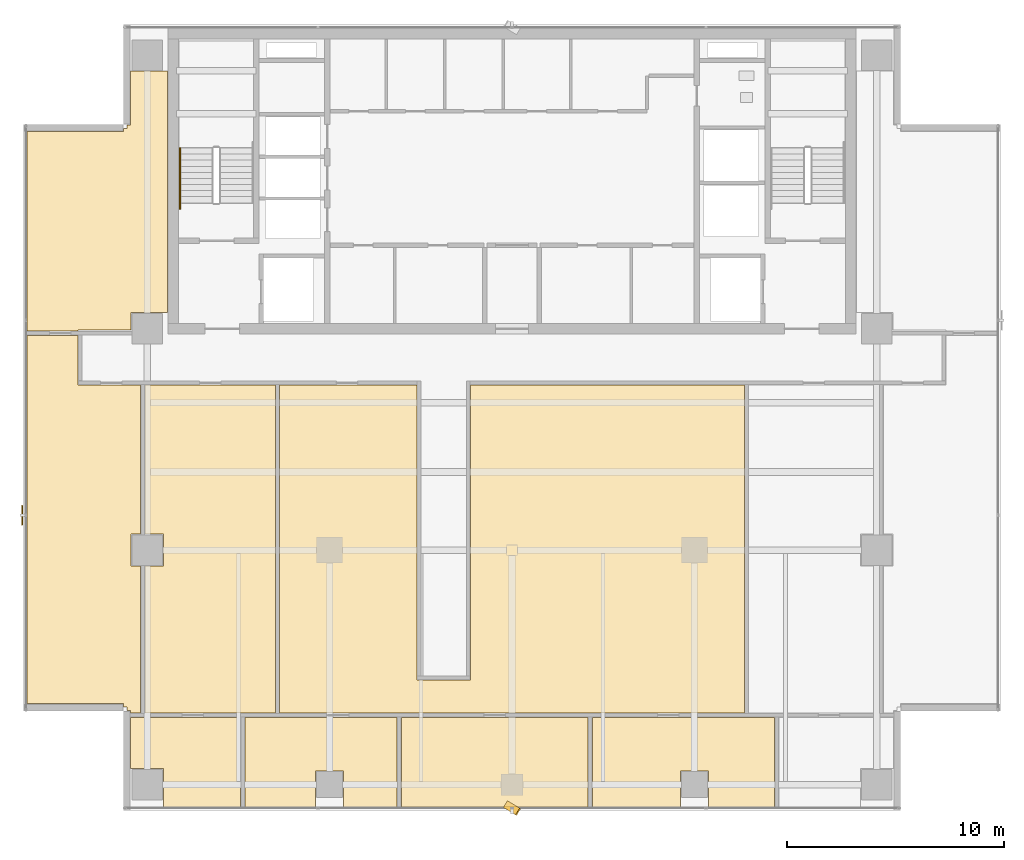
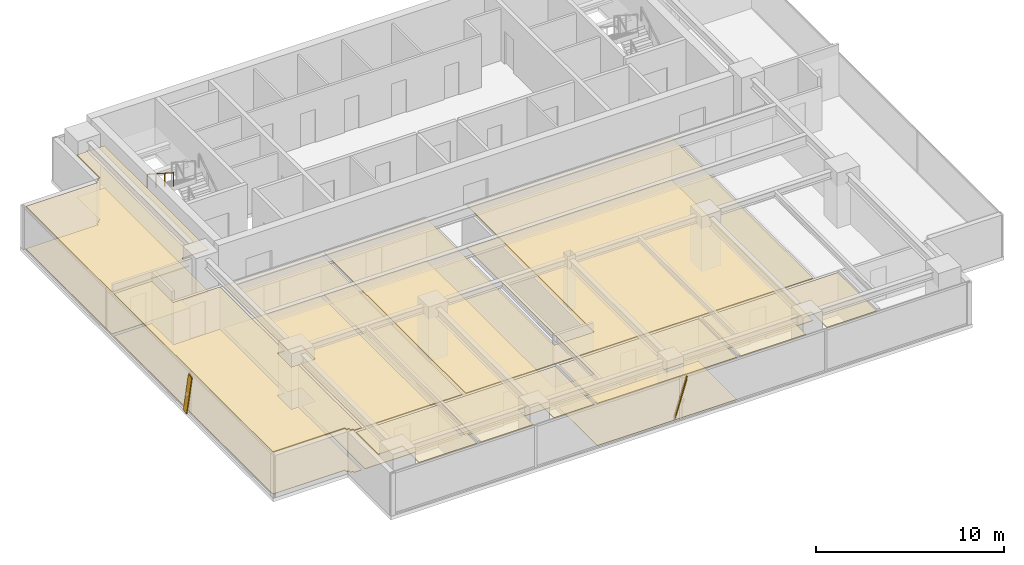
# One storey, part 23 of 26: 13 coverings, 2 shading devices, 1 railing.
"""IFC4 building model written with IfcOpenShell, lengths in metres."""

from ifc_helpers import new_model, si_unit, direction, frame, origin, origin_2d, place, context, subcontext, project, spatial, polyline, rectangle, outline, extrude, source, transform, mapped, material, layer, layer_set, material_profile, profile_set, type_object, element, save


model = new_model("IFC4")

# Units and contexts
model_context = context("Model", 3, precision=1e-05, world=origin(), true_north=direction((0.0, 1.0)))
body_context = subcontext(model_context, "Body", "Model", "MODEL_VIEW")
ifc_project = project(units=[si_unit("LENGTHUNIT", "METRE"), si_unit("AREAUNIT", "SQUARE_METRE"), si_unit("VOLUMEUNIT", "CUBIC_METRE"), si_unit("PLANEANGLEUNIT", "RADIAN"), si_unit("MASSUNIT", "GRAM", prefix="KILO")], contexts=[model_context])

# Site, building, storey
site_placement = place(None, origin())
site = spatial("IfcSite", under=ifc_project, at=site_placement, CompositionType="ELEMENT")
building_placement = place(site_placement, origin())
building = spatial("IfcBuilding", under=site, at=building_placement, Name="Sumidabori Civic Tower", CompositionType="ELEMENT")
storey_placement = place(building_placement, frame((0.0, 0.0, 254.0)))
storey = spatial("IfcBuildingStorey", under=building, at=storey_placement, Name="L66", CompositionType="ELEMENT", Elevation=254.0)

# Coverings
ifc_material_1 = material(Name="Gypsum Coffered Acoustic Ceiling")
ifc_layer_1 = layer(ifc_material_1, 0.06494140625, Name="Gypsum Coffered Acoustic Ceiling")
ifc_layer_set_1 = layer_set([ifc_layer_1], Name="Gypsum Coffered Acoustic Ceiling")
covering_type_1 = type_object("IfcCoveringType", Name="CV-CEIL-AC4", PredefinedType="CEILING", material=ifc_layer_set_1)
covering_1_placement = place(storey_placement, frame((0.0, 0.0, 2.719970703125)))
element("IfcCovering", 1, at=covering_1_placement, inside=storey, type_object=covering_type_1, Name="Room Acoustic Ceiling L66-01", PredefinedType="CEILING", context=body_context, shape_type="SweptSolid", body=[
    extrude(outline(polyline([(-22.330078125, 10.1025390625), (-22.330078125, 19.27197265625), (-17.89208984375, 19.27197265625), (-17.89208984375, 19.429931640625), (-17.72998046875, 19.429931640625), (-17.72998046875, 19.592041015625), (-17.572021484375, 19.592041015625), (-17.572021484375, 22.06005859375), (-15.8779296875, 22.06005859375), (-15.8779296875, 10.93994140625), (-17.5400390625, 10.93994140625), (-17.5400390625, 10.135009765625), (-19.985107421875, 10.135009765625), (-19.985107421875, 10.1025390625), (-22.330078125, 10.1025390625)])), origin(), (0.0, 0.0, 1.0), 0.06494140625),
])
covering_2_placement = place(storey_placement, frame((0.0, 0.0, 2.719970703125)))
element("IfcCovering", 2, at=covering_2_placement, inside=storey, type_object=covering_type_1, Name="Room Acoustic Ceiling L66-03", PredefinedType="CEILING", context=body_context, shape_type="SweptSolid", body=[
    extrude(outline(polyline([(-19.985107421875, 7.614990234375), (-17.1025390625, 7.614990234375), (-17.1025390625, 0.739990234375), (-17.5400390625, 0.739990234375), (-17.5400390625, -0.739990234375), (-17.1025390625, -0.739990234375), (-17.1025390625, -7.49755859375), (-17.572021484375, -7.49755859375), (-17.572021484375, -7.39208984375), (-17.72998046875, -7.39208984375), (-17.72998046875, -7.22998046875), (-17.89208984375, -7.22998046875), (-17.89208984375, -7.072021484375), (-22.330078125, -7.072021484375), (-22.330078125, 9.8974609375), (-19.985107421875, 9.8974609375), (-19.985107421875, 7.614990234375)])), origin(), (0.0, 0.0, 1.0), 0.06494140625),
])
covering_3_placement = place(storey_placement, frame((0.0, 0.0, 2.719970703125)))
element("IfcCovering", 3, at=covering_3_placement, inside=storey, type_object=covering_type_1, Name="Room Acoustic Ceiling L66-05", PredefinedType="CEILING", context=body_context, shape_type="SweptSolid", body=[
    extrude(outline(polyline([(-16.8974609375, -0.739990234375), (-16.06005859375, -0.739990234375), (-16.06005859375, 0.739990234375), (-16.8974609375, 0.739990234375), (-16.8974609375, 7.614990234375), (-10.902587890625, 7.614990234375), (-10.902587890625, -7.49755859375), (-16.8974609375, -7.49755859375), (-16.8974609375, -0.739990234375)])), origin(), (0.0, 0.0, 1.0), 0.06494140625),
])
covering_4_placement = place(storey_placement, frame((0.0, 0.0, 2.719970703125)))
element("IfcCovering", 4, at=covering_4_placement, inside=storey, type_object=covering_type_1, Name="Room Acoustic Ceiling L66-07", PredefinedType="CEILING", context=body_context, shape_type="SweptSolid", body=[
    extrude(outline(polyline([(-10.697509765625, 7.614990234375), (-4.385009765625, 7.614990234375), (-4.385009765625, -5.985107421875), (-1.9150390625, -5.985107421875), (-1.9150390625, 7.614990234375), (10.697509765625, 7.614990234375), (10.697509765625, -7.49755859375), (-10.697509765625, -7.49755859375), (-10.697509765625, 7.614990234375)])), origin(), (0.0, 0.0, 1.0), 0.06494140625),
])
covering_5_placement = place(storey_placement, frame((0.0, 0.0, 2.719970703125)))
element("IfcCovering", 5, at=covering_5_placement, inside=storey, type_object=covering_type_1, Name="Room Acoustic Ceiling L66-08", PredefinedType="CEILING", context=body_context, shape_type="SweptSolid", body=[
    extrude(outline(polyline([(-12.50244140625, -11.830078125), (-16.06005859375, -11.830078125), (-16.06005859375, -10.06005859375), (-17.572021484375, -10.06005859375), (-17.572021484375, -7.702392578125), (-12.50244140625, -7.702392578125), (-12.50244140625, -11.830078125)])), origin(), (0.0, 0.0, 1.0), 0.06494140625),
])
covering_6_placement = place(storey_placement, frame((0.0, 0.0, 2.719970703125)))
element("IfcCovering", 6, at=covering_6_placement, inside=storey, type_object=covering_type_1, Name="Room Acoustic Ceiling L66-10", PredefinedType="CEILING", context=body_context, shape_type="SweptSolid", body=[
    extrude(outline(polyline([(-5.302490234375, -11.830078125), (-7.760009765625, -11.830078125), (-7.760009765625, -10.159912109375), (-9.0400390625, -10.159912109375), (-9.0400390625, -11.830078125), (-12.297607421875, -11.830078125), (-12.297607421875, -7.702392578125), (-5.302490234375, -7.702392578125), (-5.302490234375, -11.830078125)])), origin(), (0.0, 0.0, 1.0), 0.06494140625),
])
covering_7_placement = place(storey_placement, frame((0.0, 0.0, 2.719970703125)))
element("IfcCovering", 7, at=covering_7_placement, inside=storey, type_object=covering_type_1, Name="Room Acoustic Ceiling L66-11", PredefinedType="CEILING", context=body_context, shape_type="SweptSolid", body=[
    extrude(outline(polyline([(3.49755859375, -11.830078125), (-5.097412109375, -11.830078125), (-5.097412109375, -7.702392578125), (3.49755859375, -7.702392578125), (3.49755859375, -11.830078125)])), origin(), (0.0, 0.0, 1.0), 0.06494140625),
])
covering_8_placement = place(storey_placement, frame((0.0, 0.0, 2.719970703125)))
element("IfcCovering", 8, at=covering_8_placement, inside=storey, type_object=covering_type_1, Name="Room Acoustic Ceiling L66-12", PredefinedType="CEILING", context=body_context, shape_type="SweptSolid", body=[
    extrude(outline(polyline([(12.097412109375, -11.830078125), (9.0400390625, -11.830078125), (9.0400390625, -10.159912109375), (7.760009765625, -10.159912109375), (7.760009765625, -11.830078125), (3.702392578125, -11.830078125), (3.702392578125, -7.702392578125), (12.097412109375, -7.702392578125), (12.097412109375, -11.830078125)])), origin(), (0.0, 0.0, 1.0), 0.06494140625),
])
ifc_material_2 = material(Name="Honed Terrazzo Tile Flooring")
ifc_layer_2 = layer(ifc_material_2, 0.030029296875, Name="Honed Terrazzo Tile Flooring")
ifc_layer_set_2 = layer_set([ifc_layer_2], Name="Honed Terrazzo Tile Flooring")
covering_type_2 = type_object("IfcCoveringType", Name="CV-FLR-TER", PredefinedType="FLOORING", material=ifc_layer_set_2)
covering_9_placement = place(storey_placement, origin())
element("IfcCovering", 9, at=covering_9_placement, inside=storey, type_object=covering_type_2, Name="Room Terrazzo Floor L66-01", PredefinedType="FLOORING", context=body_context, shape_type="SweptSolid", body=[
    extrude(outline(polyline([(-22.330078125, 10.1025390625), (-22.330078125, 19.27197265625), (-17.89208984375, 19.27197265625), (-17.89208984375, 19.429931640625), (-17.72998046875, 19.429931640625), (-17.72998046875, 19.592041015625), (-17.572021484375, 19.592041015625), (-17.572021484375, 22.06005859375), (-15.8779296875, 22.06005859375), (-15.8779296875, 10.93994140625), (-17.5400390625, 10.93994140625), (-17.5400390625, 10.135009765625), (-19.985107421875, 10.135009765625), (-19.985107421875, 10.1025390625), (-22.330078125, 10.1025390625)])), origin(), (0.0, 0.0, 1.0), 0.030029296875),
])
covering_10_placement = place(storey_placement, origin())
element("IfcCovering", 10, at=covering_10_placement, inside=storey, type_object=covering_type_2, Name="Room Terrazzo Floor L66-03", PredefinedType="FLOORING", context=body_context, shape_type="SweptSolid", body=[
    extrude(outline(polyline([(-19.985107421875, 7.614990234375), (-17.1025390625, 7.614990234375), (-17.1025390625, 0.739990234375), (-17.5400390625, 0.739990234375), (-17.5400390625, -0.739990234375), (-17.1025390625, -0.739990234375), (-17.1025390625, -7.49755859375), (-17.572021484375, -7.49755859375), (-17.572021484375, -7.39208984375), (-17.72998046875, -7.39208984375), (-17.72998046875, -7.22998046875), (-17.89208984375, -7.22998046875), (-17.89208984375, -7.072021484375), (-22.330078125, -7.072021484375), (-22.330078125, 9.8974609375), (-19.985107421875, 9.8974609375), (-19.985107421875, 7.614990234375)])), origin(), (0.0, 0.0, 1.0), 0.030029296875),
])
covering_11_placement = place(storey_placement, origin())
element("IfcCovering", 11, at=covering_11_placement, inside=storey, type_object=covering_type_2, Name="Room Terrazzo Floor L66-05", PredefinedType="FLOORING", context=body_context, shape_type="SweptSolid", body=[
    extrude(outline(polyline([(-16.8974609375, -0.739990234375), (-16.06005859375, -0.739990234375), (-16.06005859375, 0.739990234375), (-16.8974609375, 0.739990234375), (-16.8974609375, 7.614990234375), (-10.902587890625, 7.614990234375), (-10.902587890625, -7.49755859375), (-16.8974609375, -7.49755859375), (-16.8974609375, -0.739990234375)])), origin(), (0.0, 0.0, 1.0), 0.030029296875),
])
covering_12_placement = place(storey_placement, origin())
element("IfcCovering", 12, at=covering_12_placement, inside=storey, type_object=covering_type_2, Name="Room Terrazzo Floor L66-07", PredefinedType="FLOORING", context=body_context, shape_type="SweptSolid", body=[
    extrude(outline(polyline([(-10.697509765625, 7.614990234375), (-4.385009765625, 7.614990234375), (-4.385009765625, -5.985107421875), (-1.9150390625, -5.985107421875), (-1.9150390625, 7.614990234375), (10.697509765625, 7.614990234375), (10.697509765625, -7.49755859375), (-10.697509765625, -7.49755859375), (-10.697509765625, 7.614990234375)])), origin(), (0.0, 0.0, 1.0), 0.030029296875),
])
covering_13_placement = place(storey_placement, origin())
element("IfcCovering", 13, at=covering_13_placement, inside=storey, type_object=covering_type_2, Name="Room Terrazzo Floor L66-11", PredefinedType="FLOORING", context=body_context, shape_type="SweptSolid", body=[
    extrude(outline(polyline([(3.49755859375, -11.830078125), (-5.097412109375, -11.830078125), (-5.097412109375, -7.702392578125), (3.49755859375, -7.702392578125), (3.49755859375, -11.830078125)])), origin(), (0.0, 0.0, 1.0), 0.030029296875),
])

# Railing
ifc_material_3 = material(Name="Stainless Steel Hairline Finish", Category="steel")
railing_type = type_object("IfcRailingType", Name="RL-HANDRAIL", PredefinedType="HANDRAIL", material=ifc_material_3)
railing_placement = place(storey_placement, frame((-15.2900390625, 18.52001953125, 1.97998046875)))
element("IfcRailing", 14, at=railing_placement, inside=storey, type_object=railing_type, Name="L66 ST-1 stair handrail 2", PredefinedType="HANDRAIL", context=body_context, shape_type="SweptSolid", body=[
    extrude(rectangle(XDim=0.048095703125, YDim=0.048095703125, at=origin_2d()), frame((0.0, 0.0, 0.8759765625), z_axis=(0.0, -0.840675598268, 0.541539046124), x_axis=(1.0, 0.0, 0.0)), (0.0, 0.0, 1.0), 3.330810546875),
    extrude(rectangle(XDim=0.0419921875, YDim=0.0419921875, at=origin_2d()), origin(), (0.0, 0.0, 1.0), 0.851806640625),
    extrude(rectangle(XDim=0.0419921875, YDim=0.0419921875, at=origin_2d()), frame((0.0, -0.933349609375, 0.601318359375)), (0.0, 0.0, 1.0), 0.851806640625),
    extrude(rectangle(XDim=0.0419921875, YDim=0.0419921875, at=origin_2d()), frame((0.0, -1.86669921875, 1.202392578125)), (0.0, 0.0, 1.0), 0.851806640625),
    extrude(rectangle(XDim=0.0419921875, YDim=0.0419921875, at=origin_2d()), frame((0.0, -2.800048828125, 1.8037109375)), (0.0, 0.0, 1.0), 0.851806640625),
])

# Shading devices
ifc_material_4 = material(Name="Anodised Bronze Aluminium AW-6063-T6", Category="aluminium")
ifc_material_profile = material_profile(ifc_material_4, rectangle(XDim=0.054931640625, YDim=0.360107421875, at=origin_2d()), Name="BRONZE FIN 360x55")
ifc_profile_set = profile_set([ifc_material_profile], Name="Anodised Bronze Aluminium AW-6063-T6")
shading_device_type = type_object("IfcShadingDeviceType", Name="SH-FIN-360", PredefinedType="USERDEFINED", material=ifc_profile_set)
shared_shape_1 = source(origin(), body_context, "Body", "SweptSolid", [
    extrude(rectangle(XDim=0.054931640625, YDim=0.360107421875, at=origin_2d()), origin(), (0.0, 0.0, 1.0), 2.7685546875),
])
shading_device_1_placement = place(storey_placement, frame((-0.280029296875, -11.7099609375, 0.02001953125), z_axis=(0.202289930374, -0.122837782481, 0.971591304646), x_axis=(0.830469701518, -0.504291322674, -0.236665030656)))
element("IfcShadingDevice", 15, at=shading_device_1_placement, inside=storey, type_object=shading_device_type, Name="Bronze Anodised Diagonal Fin L66-02", ObjectType="FIN", PredefinedType="USERDEFINED", context=body_context, shape_type="MappedRepresentation", body=[
    mapped(shared_shape_1, transform((0.0, 0.0, 0.0), x_axis=(1.0, 0.0, 0.0), y_axis=(0.0, 1.0, 0.0), z_axis=(0.0, 0.0, 1.0), scale=1.0)),
])
shared_shape_2 = source(origin(), body_context, "Body", "SweptSolid", [
    extrude(rectangle(XDim=0.054931640625, YDim=0.360107421875, at=origin_2d()), origin(), (0.0, 0.0, 1.0), 2.74755859375),
])
shading_device_2_placement = place(storey_placement, frame((-22.550048828125, 1.889892578125, 0.02001953125), z_axis=(0.0, -0.203748445037, 0.979023274057), x_axis=(-1.0, 0.0, 0.0)))
element("IfcShadingDevice", 16, at=shading_device_2_placement, inside=storey, type_object=shading_device_type, Name="Bronze Anodised Diagonal Fin L66-02", ObjectType="FIN", PredefinedType="USERDEFINED", context=body_context, shape_type="MappedRepresentation", body=[
    mapped(shared_shape_2, transform((0.0, 0.0, 0.0), x_axis=(1.0, 0.0, 0.0), y_axis=(0.0, 1.0, 0.0), z_axis=(0.0, 0.0, 1.0), scale=1.0)),
])

save(model, "model.ifc")
